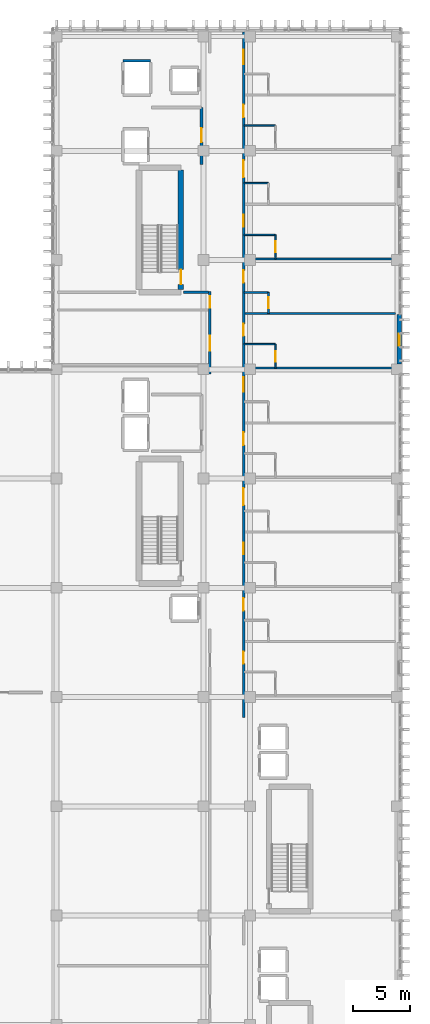
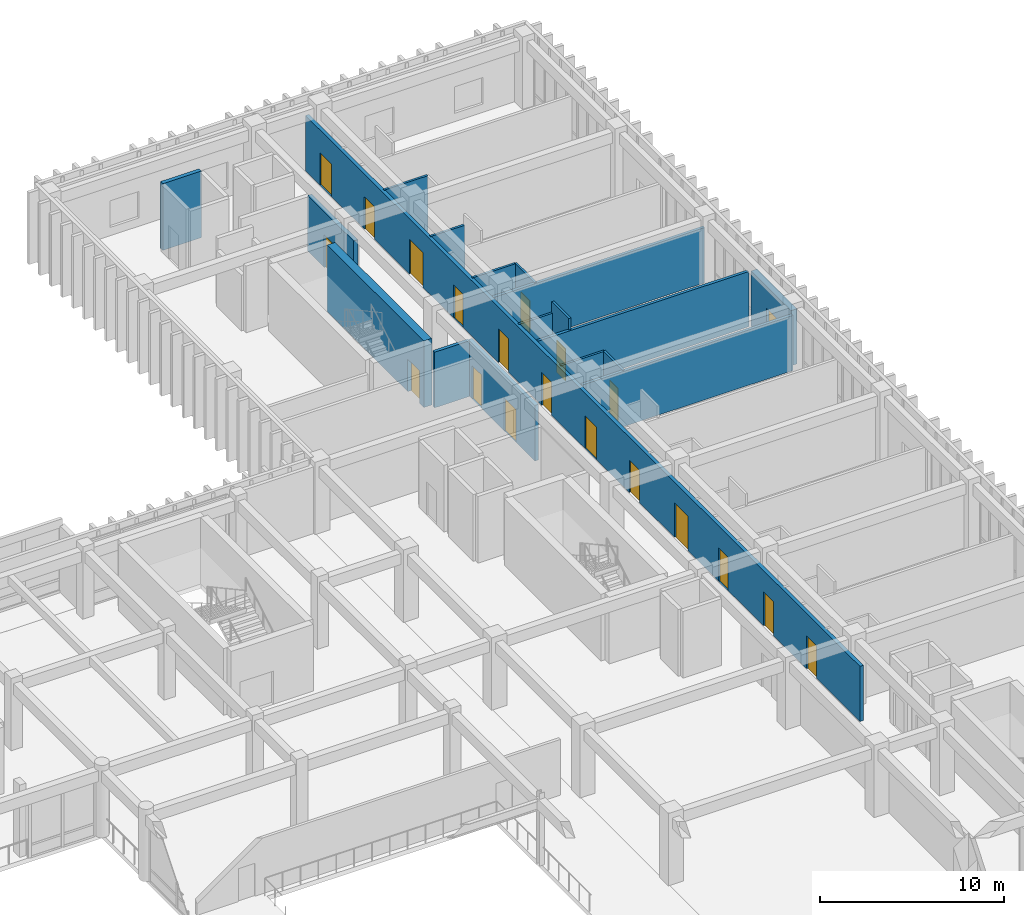
# One storey, part 107 of 133: 19 doors, 18 walls, 1 window, 20 openings.
"""IFC4 building model written with IfcOpenShell, lengths in metres."""

from ifc_helpers import new_model, si_unit, direction, frame, frame_2d, origin, place, context, subcontext, project, spatial, rectangle, extrude, material, layer, layer_set, type_object, element, fill, save


model = new_model("IFC4")

# Units and contexts
model_context = context("Model", 3, precision=1e-05, world=origin(), true_north=direction((0.0, 1.0)))
body_context = subcontext(model_context, "Body", "Model", "MODEL_VIEW")
ifc_project = project(units=[si_unit("LENGTHUNIT", "METRE"), si_unit("AREAUNIT", "SQUARE_METRE"), si_unit("VOLUMEUNIT", "CUBIC_METRE"), si_unit("PLANEANGLEUNIT", "RADIAN"), si_unit("MASSUNIT", "GRAM", prefix="KILO")], contexts=[model_context])

# Site, building, storey
site_placement = place(None, origin())
site = spatial("IfcSite", under=ifc_project, at=site_placement, CompositionType="ELEMENT")
building_placement = place(site_placement, origin())
building = spatial("IfcBuilding", under=site, at=building_placement, Name="Nakhvara Creek Congress Hotel", CompositionType="ELEMENT")
storey_placement = place(building_placement, frame((0.0, 0.0, 11.39990234375)))
storey = spatial("IfcBuildingStorey", under=building, at=storey_placement, Name="L02", CompositionType="ELEMENT", Elevation=11.39990234375)

# Wall, opening, door
ifc_material_1 = material(Name="Concrete C50/60", Category="concrete")
ifc_layer_1 = layer(ifc_material_1, 0.5)
ifc_layer_set_1 = layer_set([ifc_layer_1], Name="Concrete C50/60")
wall_type_1 = type_object("IfcWallType", Name="W-CORE-500", PredefinedType="SHEAR", material=ifc_layer_set_1)
wall_1_placement = place(storey_placement, frame((160.3701171875, 103.0, 0.0), z_axis=(0.0, 0.0, 1.0), x_axis=(0.0, 1.0, 0.0)))
wall_1 = element("IfcWall", 1, at=wall_1_placement, inside=storey, type_object=wall_type_1, Name="Core Shear Wall WS01-CWALL-L02-0343", PredefinedType="SHEAR", context=body_context, shape_type="SweptSolid", body=[
    extrude(rectangle(XDim=10.5, YDim=0.5, at=frame_2d((5.25, 0.0))), origin(), (0.0, 0.0, 1.0), 4.420166015625),
])
opening_1_placement = place(wall_1_placement, frame((0.449951171875, 0.0, 0.0)))
opening_1 = element("IfcOpeningElement", 2, at=opening_1_placement, cuts=wall_1, Name="Opening FD04", PredefinedType="OPENING", context=body_context, shape_type="SweptSolid", body=[
    extrude(rectangle(XDim=1.300048828125, YDim=2.14990234375, at=frame_2d((0.64990234375, 1.074951171875))), frame((0.0, 0.261962890625, 0.0), z_axis=(0.0, -1.0, 0.0), x_axis=(1.0, 0.0, 0.0)), (0.0, 0.0, 1.0), 0.52392578125),
])
ifc_material_2 = material(Name="Powder-coated steel fire door", Category="steel")
door_type_1 = type_object("IfcDoorType", Name="DT-STAIR-130", OperationType="NOTDEFINED", PredefinedType="DOOR", material=ifc_material_2)
door_1_placement = place(opening_1_placement, frame((1.300048828125, 0.0, 0.0), z_axis=(0.0, 0.0, 1.0), x_axis=(-1.0, 0.0, 0.0)))
door_1 = element("IfcDoor", 3, at=door_1_placement, inside=storey, type_object=door_type_1, Name="Stair Exit Door ST02-L02", OperationType="SINGLE_SWING_LEFT", OverallHeight=2.14990234375, OverallWidth=1.300048828125, PredefinedType="DOOR", context=body_context, shape_type="SweptSolid", body=[
    extrude(rectangle(XDim=1.300048828125, YDim=2.14990234375, at=frame_2d((0.64990234375, 1.074951171875))), frame((0.0, 0.02490234375, 0.0), z_axis=(0.0, -1.0, 0.0), x_axis=(1.0, 0.0, 0.0)), (0.0, 0.0, 1.0), 0.050048828125),
])
fill(opening_1, door_1)

# Wall, openings, doors
ifc_material_3 = material(Name="Gypsum acoustic board on steel stud", Category="steel")
ifc_layer_2 = layer(ifc_material_3, 0.219970703125)
ifc_layer_set_2 = layer_set([ifc_layer_2], Name="Gypsum acoustic board on steel stud")
wall_type_2 = type_object("IfcWallType", Name="W-CORR-220", PredefinedType="PARTITIONING", material=ifc_layer_set_2)
wall_2_placement = place(storey_placement, frame((162.919921875, 95.60009765625, 0.0), z_axis=(0.0, 0.0, 1.0), x_axis=(0.0, 1.0, 0.0)))
wall_2 = element("IfcWall", 4, at=wall_2_placement, inside=storey, type_object=wall_type_2, Name="Interior Wall WP11-IW-L02-0120", PredefinedType="PARTITIONING", context=body_context, shape_type="SweptSolid", body=[
    extrude(rectangle(XDim=7.219970703125, YDim=0.219970703125, at=frame_2d((3.60986328125, 0.0))), origin(), (0.0, 0.0, 1.0), 3.692138671875),
])
opening_2_placement = place(wall_2_placement, frame((2.050048828125, 0.0, 0.0)))
opening_2 = element("IfcOpeningElement", 5, at=opening_2_placement, cuts=wall_2, Name="Opening ID07", PredefinedType="OPENING", context=body_context, shape_type="SweptSolid", body=[
    extrude(rectangle(XDim=1.280029296875, YDim=2.159912109375, at=frame_2d((0.64013671875, 1.080078125))), frame((0.0, 0.1220703125, 0.0), z_axis=(0.0, -1.0, 0.0), x_axis=(1.0, 0.0, 0.0)), (0.0, 0.0, 1.0), 0.243896484375),
])
opening_3_placement = place(wall_2_placement, frame((5.800048828125, 0.0, 0.0)))
opening_3 = element("IfcOpeningElement", 6, at=opening_3_placement, cuts=wall_2, Name="Opening GD01", PredefinedType="OPENING", context=body_context, shape_type="SweptSolid", body=[
    extrude(rectangle(XDim=1.02001953125, YDim=2.199951171875, at=frame_2d((0.510009765625, 1.10009765625))), frame((0.0, 0.1220703125, 0.0), z_axis=(0.0, -1.0, 0.0), x_axis=(1.0, 0.0, 0.0)), (0.0, 0.0, 1.0), 0.243896484375),
])
ifc_material_4 = material(Name="Brushed stainless-clad BOH door")
door_type_2 = type_object("IfcDoorType", Name="DT-BOH-128", OperationType="NOTDEFINED", PredefinedType="DOOR", material=ifc_material_4)
door_2_placement = place(opening_2_placement, frame((1.280029296875, 0.0, 0.0), z_axis=(0.0, 0.0, 1.0), x_axis=(-1.0, 0.0, 0.0)))
door_2 = element("IfcDoor", 7, at=door_2_placement, inside=storey, type_object=door_type_2, Name="Interior Door ID07-0155", OperationType="SINGLE_SWING_RIGHT", OverallHeight=2.159912109375, OverallWidth=1.280029296875, PredefinedType="DOOR", context=body_context, shape_type="SweptSolid", body=[
    extrude(rectangle(XDim=1.280029296875, YDim=2.159912109375, at=frame_2d((0.64013671875, 1.080078125))), frame((0.0, 0.02490234375, 0.0), z_axis=(0.0, -1.0, 0.0), x_axis=(1.0, 0.0, 0.0)), (0.0, 0.0, 1.0), 0.050048828125),
])
fill(opening_2, door_2)
ifc_material_5 = material(Name="Walnut hardwood timber fire door", Category="wood")
door_type_3 = type_object("IfcDoorType", Name="DT-GUEST-102", OperationType="NOTDEFINED", PredefinedType="DOOR", material=ifc_material_5)
door_3_placement = place(opening_3_placement, frame((1.02001953125, 0.0, 0.0), z_axis=(0.0, 0.0, 1.0), x_axis=(-1.0, 0.0, 0.0)))
door_3 = element("IfcDoor", 8, at=door_3_placement, inside=storey, type_object=door_type_3, Name="Interior Door GD01-0156", OperationType="SINGLE_SWING_LEFT", OverallHeight=2.199951171875, OverallWidth=1.02001953125, PredefinedType="DOOR", context=body_context, shape_type="SweptSolid", body=[
    extrude(rectangle(XDim=1.02001953125, YDim=2.199951171875, at=frame_2d((0.510009765625, 1.10009765625))), frame((0.0, 0.02490234375, 0.0), z_axis=(0.0, -1.0, 0.0), x_axis=(1.0, 0.0, 0.0)), (0.0, 0.0, 1.0), 0.050048828125),
])
fill(opening_3, door_3)

wall_3_placement = place(storey_placement, frame((165.8798828125, 65.39990234375, 0.0), z_axis=(0.0, 0.0, 1.0), x_axis=(0.0, 1.0, 0.0)))
wall_3 = element("IfcWall", 9, at=wall_3_placement, inside=storey, type_object=wall_type_2, Name="Interior Wall WP11-IW-L02-0124", PredefinedType="PARTITIONING", context=body_context, shape_type="SweptSolid", body=[
    extrude(rectangle(XDim=60.25, YDim=0.219970703125, at=frame_2d((30.125, 0.0))), origin(), (0.0, 0.0, 1.0), 3.662109375),
])
opening_4_placement = place(wall_3_placement, frame((4.738037109375, 0.0, 0.0)))
opening_4 = element("IfcOpeningElement", 10, at=opening_4_placement, cuts=wall_3, Name="Opening ID04", PredefinedType="OPENING", context=body_context, shape_type="SweptSolid", body=[
    extrude(rectangle(XDim=1.050048828125, YDim=2.179931640625, at=frame_2d((0.52490234375, 1.08984375))), frame((0.0, 0.1220703125, 0.0), z_axis=(0.0, -1.0, 0.0), x_axis=(1.0, 0.0, 0.0)), (0.0, 0.0, 1.0), 0.243896484375),
])
opening_5_placement = place(wall_3_placement, frame((9.405029296875, 0.0, 0.0)))
opening_5 = element("IfcOpeningElement", 11, at=opening_5_placement, cuts=wall_3, Name="Opening GD02", PredefinedType="OPENING", context=body_context, shape_type="SweptSolid", body=[
    extrude(rectangle(XDim=1.080078125, YDim=2.25, at=frame_2d((0.5400390625, 1.125))), frame((0.0, 0.1220703125, 0.0), z_axis=(0.0, -1.0, 0.0), x_axis=(1.0, 0.0, 0.0)), (0.0, 0.0, 1.0), 0.243896484375),
])
opening_6_placement = place(wall_3_placement, frame((14.337890625, 0.0, 0.0)))
opening_6 = element("IfcOpeningElement", 12, at=opening_6_placement, cuts=wall_3, Name="Opening GD01", PredefinedType="OPENING", context=body_context, shape_type="SweptSolid", body=[
    extrude(rectangle(XDim=1.02001953125, YDim=2.199951171875, at=frame_2d((0.510009765625, 1.10009765625))), frame((0.0, 0.1220703125, 0.0), z_axis=(0.0, -1.0, 0.0), x_axis=(1.0, 0.0, 0.0)), (0.0, 0.0, 1.0), 0.243896484375),
])
opening_7_placement = place(wall_3_placement, frame((18.655029296875, 0.0, 0.0)))
opening_7 = element("IfcOpeningElement", 13, at=opening_7_placement, cuts=wall_3, Name="Opening GD03", PredefinedType="OPENING", context=body_context, shape_type="SweptSolid", body=[
    extrude(rectangle(XDim=1.5, YDim=2.300048828125, at=frame_2d((0.75, 1.14990234375))), frame((0.0, 0.1220703125, 0.0), z_axis=(0.0, -1.0, 0.0), x_axis=(1.0, 0.0, 0.0)), (0.0, 0.0, 1.0), 0.243896484375),
])
opening_8_placement = place(wall_3_placement, frame((23.93798828125, 0.0, 0.0)))
opening_8 = element("IfcOpeningElement", 14, at=opening_8_placement, cuts=wall_3, Name="Opening BD01", PredefinedType="OPENING", context=body_context, shape_type="SweptSolid", body=[
    extrude(rectangle(XDim=1.1201171875, YDim=2.14990234375, at=frame_2d((0.56005859375, 1.074951171875))), frame((0.0, 0.1220703125, 0.0), z_axis=(0.0, -1.0, 0.0), x_axis=(1.0, 0.0, 0.0)), (0.0, 0.0, 1.0), 0.243896484375),
])
opening_9_placement = place(wall_3_placement, frame((28.60498046875, 0.0, 0.0)))
opening_9 = element("IfcOpeningElement", 15, at=opening_9_placement, cuts=wall_3, Name="Opening ID07", PredefinedType="OPENING", context=body_context, shape_type="SweptSolid", body=[
    extrude(rectangle(XDim=1.280029296875, YDim=2.159912109375, at=frame_2d((0.64013671875, 1.080078125))), frame((0.0, 0.1220703125, 0.0), z_axis=(0.0, -1.0, 0.0), x_axis=(1.0, 0.0, 0.0)), (0.0, 0.0, 1.0), 0.243896484375),
])
opening_10_placement = place(wall_3_placement, frame((33.5380859375, 0.0, 0.0)))
opening_10 = element("IfcOpeningElement", 16, at=opening_10_placement, cuts=wall_3, Name="Opening ID04", PredefinedType="OPENING", context=body_context, shape_type="SweptSolid", body=[
    extrude(rectangle(XDim=1.050048828125, YDim=2.179931640625, at=frame_2d((0.52490234375, 1.08984375))), frame((0.0, 0.1220703125, 0.0), z_axis=(0.0, -1.0, 0.0), x_axis=(1.0, 0.0, 0.0)), (0.0, 0.0, 1.0), 0.243896484375),
])
opening_11_placement = place(wall_3_placement, frame((38.205078125, 0.0, 0.0)))
opening_11 = element("IfcOpeningElement", 17, at=opening_11_placement, cuts=wall_3, Name="Opening GD02", PredefinedType="OPENING", context=body_context, shape_type="SweptSolid", body=[
    extrude(rectangle(XDim=1.080078125, YDim=2.25, at=frame_2d((0.5400390625, 1.125))), frame((0.0, 0.1220703125, 0.0), z_axis=(0.0, -1.0, 0.0), x_axis=(1.0, 0.0, 0.0)), (0.0, 0.0, 1.0), 0.243896484375),
])
opening_12_placement = place(wall_3_placement, frame((43.137939453125, 0.0, 0.0)))
opening_12 = element("IfcOpeningElement", 18, at=opening_12_placement, cuts=wall_3, Name="Opening GD01", PredefinedType="OPENING", context=body_context, shape_type="SweptSolid", body=[
    extrude(rectangle(XDim=1.02001953125, YDim=2.199951171875, at=frame_2d((0.510009765625, 1.10009765625))), frame((0.0, 0.1220703125, 0.0), z_axis=(0.0, -1.0, 0.0), x_axis=(1.0, 0.0, 0.0)), (0.0, 0.0, 1.0), 0.243896484375),
])
opening_13_placement = place(wall_3_placement, frame((47.455078125, 0.0, 0.0)))
opening_13 = element("IfcOpeningElement", 19, at=opening_13_placement, cuts=wall_3, Name="Opening GD03", PredefinedType="OPENING", context=body_context, shape_type="SweptSolid", body=[
    extrude(rectangle(XDim=1.5, YDim=2.300048828125, at=frame_2d((0.75, 1.14990234375))), frame((0.0, 0.1220703125, 0.0), z_axis=(0.0, -1.0, 0.0), x_axis=(1.0, 0.0, 0.0)), (0.0, 0.0, 1.0), 0.243896484375),
])
opening_14_placement = place(wall_3_placement, frame((52.738037109375, 0.0, 0.0)))
opening_14 = element("IfcOpeningElement", 20, at=opening_14_placement, cuts=wall_3, Name="Opening BD01", PredefinedType="OPENING", context=body_context, shape_type="SweptSolid", body=[
    extrude(rectangle(XDim=1.1201171875, YDim=2.14990234375, at=frame_2d((0.56005859375, 1.074951171875))), frame((0.0, 0.1220703125, 0.0), z_axis=(0.0, -1.0, 0.0), x_axis=(1.0, 0.0, 0.0)), (0.0, 0.0, 1.0), 0.243896484375),
])
opening_15_placement = place(wall_3_placement, frame((57.405029296875, 0.0, 0.0)))
opening_15 = element("IfcOpeningElement", 21, at=opening_15_placement, cuts=wall_3, Name="Opening ID07", PredefinedType="OPENING", context=body_context, shape_type="SweptSolid", body=[
    extrude(rectangle(XDim=1.280029296875, YDim=2.159912109375, at=frame_2d((0.64013671875, 1.080078125))), frame((0.0, 0.1220703125, 0.0), z_axis=(0.0, -1.0, 0.0), x_axis=(1.0, 0.0, 0.0)), (0.0, 0.0, 1.0), 0.243896484375),
])
door_4_placement = place(opening_9_placement, origin())
door_4 = element("IfcDoor", 22, at=door_4_placement, inside=storey, type_object=door_type_2, Name="Interior Door ID07-0181", OperationType="SINGLE_SWING_RIGHT", OverallHeight=2.159912109375, OverallWidth=1.280029296875, PredefinedType="DOOR", context=body_context, shape_type="SweptSolid", body=[
    extrude(rectangle(XDim=1.280029296875, YDim=2.159912109375, at=frame_2d((0.64013671875, 1.080078125))), frame((0.0, 0.02490234375, 0.0), z_axis=(0.0, -1.0, 0.0), x_axis=(1.0, 0.0, 0.0)), (0.0, 0.0, 1.0), 0.050048828125),
])
fill(opening_9, door_4)
door_5_placement = place(opening_15_placement, origin())
door_5 = element("IfcDoor", 23, at=door_5_placement, inside=storey, type_object=door_type_2, Name="Interior Door ID07-0193", OperationType="SINGLE_SWING_RIGHT", OverallHeight=2.159912109375, OverallWidth=1.280029296875, PredefinedType="DOOR", context=body_context, shape_type="SweptSolid", body=[
    extrude(rectangle(XDim=1.280029296875, YDim=2.159912109375, at=frame_2d((0.64013671875, 1.080078125))), frame((0.0, 0.02490234375, 0.0), z_axis=(0.0, -1.0, 0.0), x_axis=(1.0, 0.0, 0.0)), (0.0, 0.0, 1.0), 0.050048828125),
])
fill(opening_15, door_5)
door_6_placement = place(opening_6_placement, origin())
door_6 = element("IfcDoor", 24, at=door_6_placement, inside=storey, type_object=door_type_3, Name="Interior Door GD01-0175", OperationType="SINGLE_SWING_RIGHT", OverallHeight=2.199951171875, OverallWidth=1.02001953125, PredefinedType="DOOR", context=body_context, shape_type="SweptSolid", body=[
    extrude(rectangle(XDim=1.02001953125, YDim=2.199951171875, at=frame_2d((0.510009765625, 1.10009765625))), frame((0.0, 0.02490234375, 0.0), z_axis=(0.0, -1.0, 0.0), x_axis=(1.0, 0.0, 0.0)), (0.0, 0.0, 1.0), 0.050048828125),
])
fill(opening_6, door_6)
door_7_placement = place(opening_12_placement, origin())
door_7 = element("IfcDoor", 25, at=door_7_placement, inside=storey, type_object=door_type_3, Name="Interior Door GD01-0187", OperationType="SINGLE_SWING_RIGHT", OverallHeight=2.199951171875, OverallWidth=1.02001953125, PredefinedType="DOOR", context=body_context, shape_type="SweptSolid", body=[
    extrude(rectangle(XDim=1.02001953125, YDim=2.199951171875, at=frame_2d((0.510009765625, 1.10009765625))), frame((0.0, 0.02490234375, 0.0), z_axis=(0.0, -1.0, 0.0), x_axis=(1.0, 0.0, 0.0)), (0.0, 0.0, 1.0), 0.050048828125),
])
fill(opening_12, door_7)
door_type_4 = type_object("IfcDoorType", Name="DT-GUEST-108", OperationType="NOTDEFINED", PredefinedType="DOOR", material=ifc_material_5)
door_8_placement = place(opening_5_placement, origin())
door_8 = element("IfcDoor", 26, at=door_8_placement, inside=storey, type_object=door_type_4, Name="Interior Door GD02-0173", OperationType="SINGLE_SWING_RIGHT", OverallHeight=2.25, OverallWidth=1.080078125, PredefinedType="DOOR", context=body_context, shape_type="SweptSolid", body=[
    extrude(rectangle(XDim=1.080078125, YDim=2.25, at=frame_2d((0.5400390625, 1.125))), frame((0.0, 0.02490234375, 0.0), z_axis=(0.0, -1.0, 0.0), x_axis=(1.0, 0.0, 0.0)), (0.0, 0.0, 1.0), 0.050048828125),
])
fill(opening_5, door_8)
door_9_placement = place(opening_11_placement, origin())
door_9 = element("IfcDoor", 27, at=door_9_placement, inside=storey, type_object=door_type_4, Name="Interior Door GD02-0185", OperationType="SINGLE_SWING_RIGHT", OverallHeight=2.25, OverallWidth=1.080078125, PredefinedType="DOOR", context=body_context, shape_type="SweptSolid", body=[
    extrude(rectangle(XDim=1.080078125, YDim=2.25, at=frame_2d((0.5400390625, 1.125))), frame((0.0, 0.02490234375, 0.0), z_axis=(0.0, -1.0, 0.0), x_axis=(1.0, 0.0, 0.0)), (0.0, 0.0, 1.0), 0.050048828125),
])
fill(opening_11, door_9)
ifc_material_6 = material(Name="Hardwood-faced service fire door", Category="wood")
door_type_5 = type_object("IfcDoorType", Name="DT-HK-112", OperationType="NOTDEFINED", PredefinedType="DOOR", material=ifc_material_6)
door_10_placement = place(opening_8_placement, origin())
door_10 = element("IfcDoor", 28, at=door_10_placement, inside=storey, type_object=door_type_5, Name="Interior Door BD01-0179", OperationType="SINGLE_SWING_RIGHT", OverallHeight=2.14990234375, OverallWidth=1.1201171875, PredefinedType="DOOR", context=body_context, shape_type="SweptSolid", body=[
    extrude(rectangle(XDim=1.1201171875, YDim=2.14990234375, at=frame_2d((0.56005859375, 1.074951171875))), frame((0.0, 0.02490234375, 0.0), z_axis=(0.0, -1.0, 0.0), x_axis=(1.0, 0.0, 0.0)), (0.0, 0.0, 1.0), 0.050048828125),
])
fill(opening_8, door_10)
door_11_placement = place(opening_14_placement, origin())
door_11 = element("IfcDoor", 29, at=door_11_placement, inside=storey, type_object=door_type_5, Name="Interior Door BD01-0191", OperationType="SINGLE_SWING_RIGHT", OverallHeight=2.14990234375, OverallWidth=1.1201171875, PredefinedType="DOOR", context=body_context, shape_type="SweptSolid", body=[
    extrude(rectangle(XDim=1.1201171875, YDim=2.14990234375, at=frame_2d((0.56005859375, 1.074951171875))), frame((0.0, 0.02490234375, 0.0), z_axis=(0.0, -1.0, 0.0), x_axis=(1.0, 0.0, 0.0)), (0.0, 0.0, 1.0), 0.050048828125),
])
fill(opening_14, door_11)
ifc_material_7 = material(Name="Teak timber & frosted glass spa door", Category="wood")
door_type_6 = type_object("IfcDoorType", Name="DT-SPA-105", OperationType="NOTDEFINED", PredefinedType="DOOR", material=ifc_material_7)
door_12_placement = place(opening_4_placement, origin())
door_12 = element("IfcDoor", 30, at=door_12_placement, inside=storey, type_object=door_type_6, Name="Interior Door ID04-0171", OperationType="SINGLE_SWING_RIGHT", OverallHeight=2.179931640625, OverallWidth=1.050048828125, PredefinedType="DOOR", context=body_context, shape_type="SweptSolid", body=[
    extrude(rectangle(XDim=1.050048828125, YDim=2.179931640625, at=frame_2d((0.52490234375, 1.08984375))), frame((0.0, 0.02490234375, 0.0), z_axis=(0.0, -1.0, 0.0), x_axis=(1.0, 0.0, 0.0)), (0.0, 0.0, 1.0), 0.050048828125),
])
fill(opening_4, door_12)
door_13_placement = place(opening_10_placement, origin())
door_13 = element("IfcDoor", 31, at=door_13_placement, inside=storey, type_object=door_type_6, Name="Interior Door ID04-0183", OperationType="SINGLE_SWING_RIGHT", OverallHeight=2.179931640625, OverallWidth=1.050048828125, PredefinedType="DOOR", context=body_context, shape_type="SweptSolid", body=[
    extrude(rectangle(XDim=1.050048828125, YDim=2.179931640625, at=frame_2d((0.52490234375, 1.08984375))), frame((0.0, 0.02490234375, 0.0), z_axis=(0.0, -1.0, 0.0), x_axis=(1.0, 0.0, 0.0)), (0.0, 0.0, 1.0), 0.050048828125),
])
fill(opening_10, door_13)
ifc_material_8 = material(Name="Walnut hardwood double fire door", Category="wood")
door_type_7 = type_object("IfcDoorType", Name="DT-SUITE-150", OperationType="DOUBLE_DOOR_SINGLE_SWING", PredefinedType="DOOR", material=ifc_material_8)
door_14_placement = place(opening_7_placement, origin())
door_14 = element("IfcDoor", 32, at=door_14_placement, inside=storey, type_object=door_type_7, Name="Interior Door GD03-0177", OperationType="DOUBLE_DOOR_SINGLE_SWING", OverallHeight=2.300048828125, OverallWidth=1.5, PredefinedType="DOOR", context=body_context, shape_type="SweptSolid", body=[
    extrude(rectangle(XDim=1.5, YDim=2.300048828125, at=frame_2d((0.75, 1.14990234375))), frame((0.0, 0.02490234375, 0.0), z_axis=(0.0, -1.0, 0.0), x_axis=(1.0, 0.0, 0.0)), (0.0, 0.0, 1.0), 0.050048828125),
])
fill(opening_7, door_14)
door_15_placement = place(opening_13_placement, origin())
door_15 = element("IfcDoor", 33, at=door_15_placement, inside=storey, type_object=door_type_7, Name="Interior Door GD03-0189", OperationType="DOUBLE_DOOR_SINGLE_SWING", OverallHeight=2.300048828125, OverallWidth=1.5, PredefinedType="DOOR", context=body_context, shape_type="SweptSolid", body=[
    extrude(rectangle(XDim=1.5, YDim=2.300048828125, at=frame_2d((0.75, 1.14990234375))), frame((0.0, 0.02490234375, 0.0), z_axis=(0.0, -1.0, 0.0), x_axis=(1.0, 0.0, 0.0)), (0.0, 0.0, 1.0), 0.050048828125),
])
fill(opening_13, door_15)

# Wall, opening, door
ifc_material_9 = material(Name="Moisture-resistant gypsum board partition")
ifc_layer_3 = layer(ifc_material_9, 0.139892578125)
ifc_layer_set_3 = layer_set([ifc_layer_3], Name="Moisture-resistant gypsum board partition")
wall_type_3 = type_object("IfcWallType", Name="W-ENS-140", PredefinedType="PARTITIONING", material=ifc_layer_set_3)
wall_4_placement = place(storey_placement, frame((168.669921875, 96.10009765625, 0.0), z_axis=(0.0, 0.0, 1.0), x_axis=(0.0, 1.0, 0.0)))
wall_4 = element("IfcWall", 34, at=wall_4_placement, inside=storey, type_object=wall_type_3, Name="Interior Wall WP15-IW-L02-0192", PredefinedType="PARTITIONING", context=body_context, shape_type="SweptSolid", body=[
    extrude(rectangle(XDim=2.115966796875, YDim=0.139892578125, at=frame_2d((1.05810546875, 0.0))), origin(), (0.0, 0.0, 1.0), 3.692138671875),
])
opening_16_placement = place(wall_4_placement, frame((0.5830078125, 0.0, 0.0)))
opening_16 = element("IfcOpeningElement", 35, at=opening_16_placement, cuts=wall_4, Name="Opening ID01", PredefinedType="OPENING", context=body_context, shape_type="SweptSolid", body=[
    extrude(rectangle(XDim=0.919921875, YDim=2.10009765625, at=frame_2d((0.4599609375, 1.050048828125))), frame((0.0, 0.08203125, 0.0), z_axis=(0.0, -1.0, 0.0), x_axis=(1.0, 0.0, 0.0)), (0.0, 0.0, 1.0), 0.163818359375),
])
ifc_material_10 = material(Name="Moisture-resistant walnut timber door", Category="wood")
door_type_8 = type_object("IfcDoorType", Name="DT-ENS-092", OperationType="NOTDEFINED", PredefinedType="DOOR", material=ifc_material_10)
door_16_placement = place(opening_16_placement, frame((0.919921875, 0.0, 0.0), z_axis=(0.0, 0.0, 1.0), x_axis=(-1.0, 0.0, 0.0)))
door_16 = element("IfcDoor", 36, at=door_16_placement, inside=storey, type_object=door_type_8, Name="Interior Door ID01-0184", OperationType="SINGLE_SWING_LEFT", OverallHeight=2.10009765625, OverallWidth=0.919921875, PredefinedType="DOOR", context=body_context, shape_type="SweptSolid", body=[
    extrude(rectangle(XDim=0.919921875, YDim=2.10009765625, at=frame_2d((0.4599609375, 1.050048828125))), frame((0.0, 0.02490234375, 0.0), z_axis=(0.0, -1.0, 0.0), x_axis=(1.0, 0.0, 0.0)), (0.0, 0.0, 1.0), 0.050048828125),
])
fill(opening_16, door_16)

# Wall
wall_5_placement = place(storey_placement, frame((165.919921875, 98.216064453125, 0.0), z_axis=(0.0, 0.0, 1.0), x_axis=(1.0, 0.0, 0.0)))
element("IfcWall", 37, at=wall_5_placement, inside=storey, type_object=wall_type_3, Name="Interior Wall WP15-IW-L02-0193", PredefinedType="PARTITIONING", context=body_context, shape_type="SweptSolid", body=[
    extrude(rectangle(XDim=2.75, YDim=0.139892578125, at=frame_2d((1.375, 0.0))), origin(), (0.0, 0.0, 1.0), 3.692138671875),
])

# Wall, opening, door
wall_6_placement = place(storey_placement, frame((168.070068359375, 100.89990234375, 0.0), z_axis=(0.0, 0.0, 1.0), x_axis=(0.0, 1.0, 0.0)))
wall_6 = element("IfcWall", 38, at=wall_6_placement, inside=storey, type_object=wall_type_3, Name="Interior Wall WP15-IW-L02-0195", PredefinedType="PARTITIONING", context=body_context, shape_type="SweptSolid", body=[
    extrude(rectangle(XDim=1.85009765625, YDim=0.139892578125, at=frame_2d((0.925048828125, 0.0))), origin(), (0.0, 0.0, 1.0), 4.420166015625),
])
opening_17_placement = place(wall_6_placement, frame((0.449951171875, 0.0, 0.0)))
opening_17 = element("IfcOpeningElement", 39, at=opening_17_placement, cuts=wall_6, Name="Opening ID02", PredefinedType="OPENING", context=body_context, shape_type="SweptSolid", body=[
    extrude(rectangle(XDim=0.9599609375, YDim=2.1201171875, at=frame_2d((0.47998046875, 1.06005859375))), frame((0.0, 0.08203125, 0.0), z_axis=(0.0, -1.0, 0.0), x_axis=(1.0, 0.0, 0.0)), (0.0, 0.0, 1.0), 0.163818359375),
])
door_type_9 = type_object("IfcDoorType", Name="DT-ENS-096", OperationType="NOTDEFINED", PredefinedType="DOOR", material=ifc_material_10)
door_17_placement = place(opening_17_placement, frame((0.9599609375, 0.0, 0.0), z_axis=(0.0, 0.0, 1.0), x_axis=(-1.0, 0.0, 0.0)))
door_17 = element("IfcDoor", 40, at=door_17_placement, inside=storey, type_object=door_type_9, Name="Interior Door ID02-0186", OperationType="SINGLE_SWING_LEFT", OverallHeight=2.1201171875, OverallWidth=0.9599609375, PredefinedType="DOOR", context=body_context, shape_type="SweptSolid", body=[
    extrude(rectangle(XDim=0.9599609375, YDim=2.1201171875, at=frame_2d((0.47998046875, 1.06005859375))), frame((0.0, 0.02490234375, 0.0), z_axis=(0.0, -1.0, 0.0), x_axis=(1.0, 0.0, 0.0)), (0.0, 0.0, 1.0), 0.050048828125),
])
fill(opening_17, door_17)

# Wall
wall_7_placement = place(storey_placement, frame((165.919921875, 102.75, 0.0), z_axis=(0.0, 0.0, 1.0), x_axis=(1.0, 0.0, 0.0)))
element("IfcWall", 41, at=wall_7_placement, inside=storey, type_object=wall_type_3, Name="Interior Wall WP15-IW-L02-0196", PredefinedType="PARTITIONING", context=body_context, shape_type="SweptSolid", body=[
    extrude(rectangle(XDim=2.150146484375, YDim=0.139892578125, at=frame_2d((1.0751953125, 0.0))), origin(), (0.0, 0.0, 1.0), 3.692138671875),
])

# Wall, opening, door
wall_8_placement = place(storey_placement, frame((168.669921875, 105.699951171875, 0.0), z_axis=(0.0, 0.0, 1.0), x_axis=(0.0, 1.0, 0.0)))
wall_8 = element("IfcWall", 42, at=wall_8_placement, inside=storey, type_object=wall_type_3, Name="Interior Wall WP15-IW-L02-0198", PredefinedType="PARTITIONING", context=body_context, shape_type="SweptSolid", body=[
    extrude(rectangle(XDim=2.115966796875, YDim=0.139892578125, at=frame_2d((1.05810546875, 0.0))), origin(), (0.0, 0.0, 1.0), 3.692138671875),
])
opening_18_placement = place(wall_8_placement, frame((0.5830078125, 0.0, 0.0)))
opening_18 = element("IfcOpeningElement", 43, at=opening_18_placement, cuts=wall_8, Name="Opening ID02", PredefinedType="OPENING", context=body_context, shape_type="SweptSolid", body=[
    extrude(rectangle(XDim=0.9599609375, YDim=2.1201171875, at=frame_2d((0.47998046875, 1.06005859375))), frame((0.0, 0.08203125, 0.0), z_axis=(0.0, -1.0, 0.0), x_axis=(1.0, 0.0, 0.0)), (0.0, 0.0, 1.0), 0.163818359375),
])
door_18_placement = place(opening_18_placement, frame((0.9599609375, 0.0, 0.0), z_axis=(0.0, 0.0, 1.0), x_axis=(-1.0, 0.0, 0.0)))
door_18 = element("IfcDoor", 44, at=door_18_placement, inside=storey, type_object=door_type_9, Name="Interior Door ID02-0188", OperationType="SINGLE_SWING_LEFT", OverallHeight=2.1201171875, OverallWidth=0.9599609375, PredefinedType="DOOR", context=body_context, shape_type="SweptSolid", body=[
    extrude(rectangle(XDim=0.9599609375, YDim=2.1201171875, at=frame_2d((0.47998046875, 1.06005859375))), frame((0.0, 0.02490234375, 0.0), z_axis=(0.0, -1.0, 0.0), x_axis=(1.0, 0.0, 0.0)), (0.0, 0.0, 1.0), 0.050048828125),
])
fill(opening_18, door_18)

# Walls
wall_9_placement = place(storey_placement, frame((165.919921875, 107.81591796875, 0.0), z_axis=(0.0, 0.0, 1.0), x_axis=(1.0, 0.0, 0.0)))
element("IfcWall", 45, at=wall_9_placement, inside=storey, type_object=wall_type_3, Name="Interior Wall WP15-IW-L02-0199", PredefinedType="PARTITIONING", context=body_context, shape_type="SweptSolid", body=[
    extrude(rectangle(XDim=2.75, YDim=0.139892578125, at=frame_2d((1.375, 0.0))), origin(), (0.0, 0.0, 1.0), 3.692138671875),
])
wall_10_placement = place(storey_placement, frame((165.919921875, 112.35009765625, 0.0), z_axis=(0.0, 0.0, 1.0), x_axis=(1.0, 0.0, 0.0)))
element("IfcWall", 46, at=wall_10_placement, inside=storey, type_object=wall_type_3, Name="Interior Wall WP15-IW-L02-0202", PredefinedType="PARTITIONING", context=body_context, shape_type="SweptSolid", body=[
    extrude(rectangle(XDim=2.150146484375, YDim=0.139892578125, at=frame_2d((1.0751953125, 0.0))), origin(), (0.0, 0.0, 1.0), 3.692138671875),
])
wall_11_placement = place(storey_placement, frame((165.919921875, 117.416015625, 0.0), z_axis=(0.0, 0.0, 1.0), x_axis=(1.0, 0.0, 0.0)))
element("IfcWall", 47, at=wall_11_placement, inside=storey, type_object=wall_type_3, Name="Interior Wall WP15-IW-L02-0205", PredefinedType="PARTITIONING", context=body_context, shape_type="SweptSolid", body=[
    extrude(rectangle(XDim=2.75, YDim=0.139892578125, at=frame_2d((1.375, 0.0))), origin(), (0.0, 0.0, 1.0), 3.692138671875),
])

# Wall, opening, window
ifc_material_11 = material(Name="Honed pale Omani limestone cladding", Category="masonry")
ifc_layer_4 = layer(ifc_material_11, 0.050048828125)
ifc_material_12 = material(Name="Mineral wool thermal insulation")
ifc_layer_5 = layer(ifc_material_12, 0.110107421875)
ifc_material_13 = material(Name="Precast concrete C40/50", Category="concrete")
ifc_layer_6 = layer(ifc_material_13, 0.219970703125)
ifc_layer_set_4 = layer_set([ifc_layer_4, ifc_layer_5, ifc_layer_6], Name="Precast concrete C40/50")
wall_type_4 = type_object("IfcWallType", Name="W-EXT-380", PredefinedType="SOLIDWALL", material=ifc_layer_set_4)
wall_12_placement = place(storey_placement, frame((179.56005859375, 100.800048828125, 0.0), z_axis=(0.0, 0.0, 1.0), x_axis=(0.0, -1.0, 0.0)))
wall_12 = element("IfcWall", 48, at=wall_12_placement, inside=storey, type_object=wall_type_4, Name="Exterior Wall WE03-EW-L02-0115", PredefinedType="SOLIDWALL", context=body_context, shape_type="SweptSolid", body=[
    extrude(rectangle(XDim=4.35009765625, YDim=0.3798828125, at=frame_2d((2.175048828125, 0.0))), origin(), (0.0, 0.0, 1.0), 3.662109375),
])
opening_19_placement = place(wall_12_placement, frame((1.68505859375, 0.0, 0.550048828125)))
opening_19 = element("IfcOpeningElement", 49, at=opening_19_placement, cuts=wall_12, Name="Opening WN0124", PredefinedType="OPENING", context=body_context, shape_type="SweptSolid", body=[
    extrude(rectangle(XDim=1.050048828125, YDim=1.64990234375, at=frame_2d((0.52490234375, 0.824951171875))), frame((0.0, 0.201904296875, 0.0), z_axis=(0.0, -1.0, 0.0), x_axis=(1.0, 0.0, 0.0)), (0.0, 0.0, 1.0), 0.40380859375),
])
ifc_material_14 = material(Name="Thermally broken bronze-anodised aluminium and double-silver low-E insulated glass", Category="aluminium")
window_type = type_object("IfcWindowType", Name="WN-LAN-105X180", PartitioningType="SINGLE_PANEL", PredefinedType="WINDOW", material=ifc_material_14)
window_placement = place(opening_19_placement, origin())
window = element("IfcWindow", 50, at=window_placement, inside=storey, type_object=window_type, Name="Facade Window WN0124", OverallHeight=1.64990234375, OverallWidth=1.050048828125, PartitioningType="SINGLE_PANEL", PredefinedType="WINDOW", context=body_context, shape_type="SweptSolid", body=[
    extrude(rectangle(XDim=1.050048828125, YDim=1.64990234375, at=frame_2d((0.52490234375, 0.824951171875))), frame((0.0, 0.030029296875, 0.0), z_axis=(0.0, -1.0, 0.0), x_axis=(1.0, 0.0, 0.0)), (0.0, 0.0, 1.0), 0.06005859375),
])
fill(opening_19, window)

# Wall, opening, door
ifc_material_15 = material(Name="Concrete C40/50", Category="concrete")
ifc_layer_7 = layer(ifc_material_15, 0.260009765625)
ifc_layer_set_5 = layer_set([ifc_layer_7], Name="Concrete C40/50")
wall_type_5 = type_object("IfcWallType", Name="W-FFL-260", PredefinedType="SOLIDWALL", material=ifc_layer_set_5)
wall_13_placement = place(storey_placement, frame((162.199951171875, 114.0, 0.0), z_axis=(0.0, 0.0, 1.0), x_axis=(0.0, 1.0, 0.0)))
wall_13 = element("IfcWall", 51, at=wall_13_placement, inside=storey, type_object=wall_type_5, Name="Core Shear Wall WI03-CWALL-L02-0356", PredefinedType="SOLIDWALL", context=body_context, shape_type="SweptSolid", body=[
    extrude(rectangle(XDim=5.0, YDim=0.260009765625, at=frame_2d((2.5, 0.0))), origin(), (0.0, 0.0, 1.0), 3.692138671875),
])
opening_20_placement = place(wall_13_placement, frame((1.949951171875, 0.0, 0.0)))
opening_20 = element("IfcOpeningElement", 52, at=opening_20_placement, cuts=wall_13, Name="Opening FD05", PredefinedType="OPENING", context=body_context, shape_type="SweptSolid", body=[
    extrude(rectangle(XDim=1.25, YDim=2.14990234375, at=frame_2d((0.625, 1.074951171875))), frame((0.0, 0.14208984375, 0.0), z_axis=(0.0, -1.0, 0.0), x_axis=(1.0, 0.0, 0.0)), (0.0, 0.0, 1.0), 0.283935546875),
])
ifc_material_16 = material(Name="Hardwood-veneered steel fire door", Category="steel")
door_type_10 = type_object("IfcDoorType", Name="DT-FFL-125", OperationType="NOTDEFINED", PredefinedType="DOOR", material=ifc_material_16)
door_19_placement = place(opening_20_placement, origin())
door_19 = element("IfcDoor", 53, at=door_19_placement, inside=storey, type_object=door_type_10, Name="Firefighting Lobby Door C2-L02", OperationType="DOUBLE_DOOR_SINGLE_SWING", OverallHeight=2.14990234375, OverallWidth=1.25, PredefinedType="DOOR", context=body_context, shape_type="SweptSolid", body=[
    extrude(rectangle(XDim=1.25, YDim=2.14990234375, at=frame_2d((0.625, 1.074951171875))), frame((0.0, 0.02490234375, 0.0), z_axis=(0.0, -1.0, 0.0), x_axis=(1.0, 0.0, 0.0)), (0.0, 0.0, 1.0), 0.050048828125),
])
fill(opening_20, door_19)

# Walls
ifc_layer_8 = layer(ifc_material_3, 0.179931640625)
ifc_layer_set_6 = layer_set([ifc_layer_8], Name="Gypsum acoustic board on steel stud")
wall_type_6 = type_object("IfcWallType", Name="W-MEET-180", PredefinedType="PARTITIONING", material=ifc_layer_set_6)
for number, where, z_axis, x_axis, name in (
    (54, (166.02001953125, 96.10009765625, 0.0), (0.0, 0.0, 1.0), (1.0, 0.0, 0.0), "Interior Wall WP13-IW-L02-0191"),
    (55, (166.02001953125, 100.89990234375, 0.0), (0.0, 0.0, 1.0), (1.0, 0.0, 0.0), "Interior Wall WP13-IW-L02-0194"),
    (56, (166.02001953125, 105.699951171875, 0.0), (0.0, 0.0, 1.0), (1.0, 0.0, 0.0), "Interior Wall WP13-IW-L02-0197"),
):
    element("IfcWall", number, at=place(storey_placement, frame(where, z_axis=z_axis, x_axis=x_axis)), inside=storey, type_object=wall_type_6, Name=name, PredefinedType="PARTITIONING", context=body_context, shape_type="SweptSolid", body=[
        extrude(rectangle(XDim=13.22998046875, YDim=0.179931640625, at=frame_2d((6.614990234375, 0.0))), origin(), (0.0, 0.0, 1.0), 3.662109375),
    ])
ifc_layer_9 = layer(ifc_material_3, 0.199951171875)
ifc_layer_set_7 = layer_set([ifc_layer_9], Name="Gypsum acoustic board on steel stud")
wall_type_7 = type_object("IfcWallType", Name="W-PART-200", PredefinedType="PARTITIONING", material=ifc_layer_set_7)
wall_14_placement = place(storey_placement, frame((160.6201171875, 102.780029296875, 0.0), z_axis=(0.0, 0.0, 1.0), x_axis=(1.0, 0.0, 0.0)))
element("IfcWall", 57, at=wall_14_placement, inside=storey, type_object=wall_type_7, Name="Interior Wall WP12-IW-L02-0156", PredefinedType="PARTITIONING", context=body_context, shape_type="SweptSolid", body=[
    extrude(rectangle(XDim=2.18994140625, YDim=0.199951171875, at=frame_2d((1.094970703125, 0.0))), origin(), (0.0, 0.0, 1.0), 3.692138671875),
])
ifc_layer_10 = layer(ifc_material_15, 0.25)
ifc_layer_set_8 = layer_set([ifc_layer_10], Name="Concrete C40/50")
wall_type_8 = type_object("IfcWallType", Name="W-SHAFT-250", PredefinedType="SOLIDWALL", material=ifc_layer_set_8)
wall_15_placement = place(storey_placement, frame((155.2900390625, 123.110107421875, 0.0), z_axis=(0.0, 0.0, 1.0), x_axis=(1.0, 0.0, 0.0)))
element("IfcWall", 58, at=wall_15_placement, inside=storey, type_object=wall_type_8, Name="Core Shear Wall WI02-CWALL-L02-0353", PredefinedType="SOLIDWALL", context=body_context, shape_type="SweptSolid", body=[
    extrude(rectangle(XDim=2.419921875, YDim=0.25, at=frame_2d((1.2099609375, 0.0))), origin(), (0.0, 0.0, 1.0), 4.420166015625),
])

save(model, "model.ifc")
